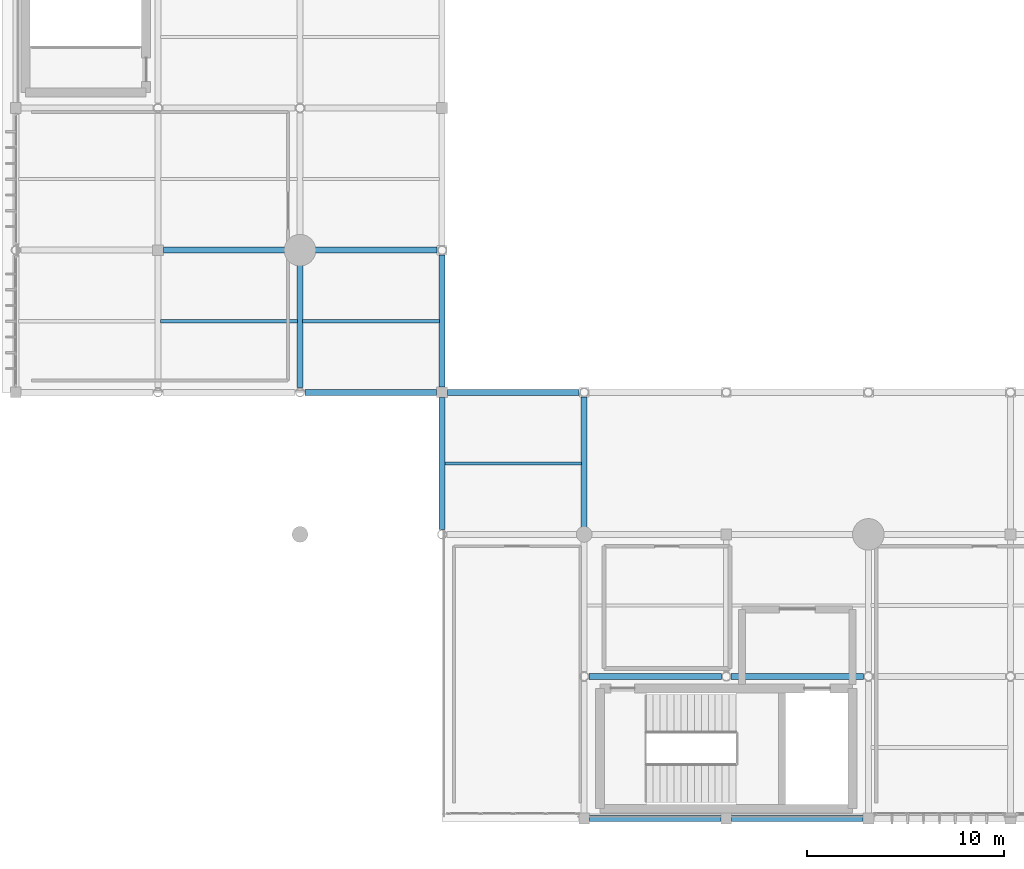
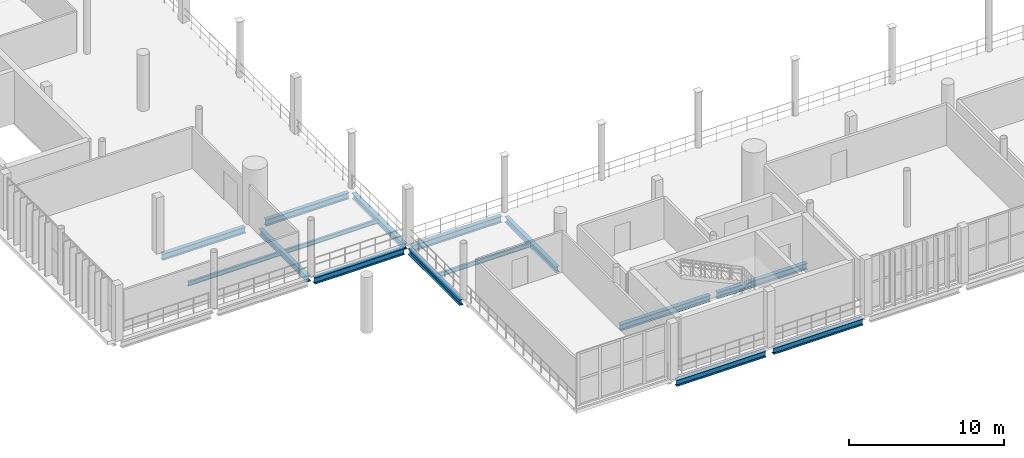
# One storey, part 16 of 81: 15 beams.
"""IFC4 building model written with IfcOpenShell, lengths in metres."""

from ifc_helpers import new_model, si_unit, direction, frame, origin, origin_2d, place, context, subcontext, project, spatial, i_section, extrude, material, material_profile, profile_set, type_object, element, save


model = new_model("IFC4")

# Units and contexts
model_context = context("Model", 3, precision=1e-05, world=origin(), true_north=direction((0.0, 1.0)))
body_context = subcontext(model_context, "Body", "Model", "MODEL_VIEW")
ifc_project = project(units=[si_unit("LENGTHUNIT", "METRE"), si_unit("AREAUNIT", "SQUARE_METRE"), si_unit("VOLUMEUNIT", "CUBIC_METRE"), si_unit("PLANEANGLEUNIT", "RADIAN"), si_unit("MASSUNIT", "GRAM", prefix="KILO")], contexts=[model_context])

# Site, building, storey
site_placement = place(None, origin())
site = spatial("IfcSite", under=ifc_project, at=site_placement, CompositionType="ELEMENT")
building_placement = place(site_placement, origin())
building = spatial("IfcBuilding", under=site, at=building_placement, Name="Qandorah Velis Arena", CompositionType="ELEMENT")
storey_placement = place(building_placement, frame((0.0, 0.0, 18.60009765625)))
storey = spatial("IfcBuildingStorey", under=building, at=storey_placement, Name="L04", CompositionType="ELEMENT", Elevation=18.60009765625)

# Beams
ifc_material = material(Name="Steel S355", Category="steel")
ifc_material_profile_1 = material_profile(ifc_material, i_section(OverallWidth=0.300048828125, OverallDepth=0.449951171875, WebThickness=0.013916015625, FlangeThickness=0.02587890625, FilletRadius=0.027099609375, at=origin_2d()), Name="HEB 450")
ifc_profile_set_1 = profile_set([ifc_material_profile_1], Name="Steel S355")
beam_type_1 = type_object("IfcBeamType", Name="STR-BM-HEB450", PredefinedType="BEAM", material=ifc_profile_set_1)
beam_1_placement = place(storey_placement, frame((14.39990234375, 21.85009765625, -0.4951171875), z_axis=(0.0, 1.0, 0.0), x_axis=(-1.0, 0.0, 0.0)))
element("IfcBeam", 1, at=beam_1_placement, inside=storey, type_object=beam_type_1, Name="Primary floor girder L04 Y-170", PredefinedType="BEAM", context=body_context, shape_type="SweptSolid", body=[
    extrude(i_section(OverallWidth=0.300048828125, OverallDepth=0.449951171875, WebThickness=0.013916015625, FlangeThickness=0.02587890625, FilletRadius=0.027099609375, at=origin_2d()), origin(), (0.0, 0.0, 1.0), 6.199951171875),
])
for number, where, z_axis, x_axis, name in (
    (2, (21.60009765625, 14.64990234375, -0.4951171875), (0.0, 1.0, 0.0), (-1.0, 0.0, 0.0), "Primary floor girder L04 Y-182"),
    (3, (21.60009765625, 21.875, -0.4951171875), (0.0, 1.0, 0.0), (-1.0, 0.0, 0.0), "Primary floor girder L04 Y-183"),
):
    element("IfcBeam", number, at=place(storey_placement, frame(where, z_axis=z_axis, x_axis=x_axis)), inside=storey, type_object=beam_type_1, Name=name, PredefinedType="BEAM", context=body_context, shape_type="SweptSolid", body=[
        extrude(i_section(OverallWidth=0.300048828125, OverallDepth=0.449951171875, WebThickness=0.013916015625, FlangeThickness=0.02587890625, FilletRadius=0.027099609375, at=origin_2d()), origin(), (0.0, 0.0, 1.0), 6.675048828125),
    ])
beam_2_placement = place(storey_placement, frame((28.800048828125, 14.75, -0.4951171875), z_axis=(0.0, 1.0, 0.0), x_axis=(-1.0, 0.0, 0.0)))
element("IfcBeam", 4, at=beam_2_placement, inside=storey, type_object=beam_type_1, Name="Primary floor girder L04 Y-198", PredefinedType="BEAM", context=body_context, shape_type="SweptSolid", body=[
    extrude(i_section(OverallWidth=0.300048828125, OverallDepth=0.449951171875, WebThickness=0.013916015625, FlangeThickness=0.02587890625, FilletRadius=0.027099609375, at=origin_2d()), origin(), (0.0, 0.0, 1.0), 6.60009765625),
])
ifc_material_profile_2 = material_profile(ifc_material, i_section(OverallWidth=0.300048828125, OverallDepth=0.5, WebThickness=0.014404296875, FlangeThickness=0.028076171875, FilletRadius=0.027099609375, at=origin_2d()), Name="HEB 500")
ifc_profile_set_2 = profile_set([ifc_material_profile_2], Name="Steel S355")
beam_type_2 = type_object("IfcBeamType", Name="STR-BM-HEB500", PredefinedType="BEAM", material=ifc_profile_set_2)
for number, where, z_axis, x_axis, name in (
    (5, (29.074951171875, 0.0, -0.52001953125), (1.0, 0.0, 0.0), (0.0, 1.0, 0.0), "Primary floor girder L04 X-001"),
    (6, (36.27490234375, 0.0, -0.52001953125), (1.0, 0.0, 0.0), (0.0, 1.0, 0.0), "Primary floor girder L04 X-002"),
):
    element("IfcBeam", number, at=place(storey_placement, frame(where, z_axis=z_axis, x_axis=x_axis)), inside=storey, type_object=beam_type_2, Name=name, PredefinedType="BEAM", context=body_context, shape_type="SweptSolid", body=[
        extrude(i_section(OverallWidth=0.300048828125, OverallDepth=0.5, WebThickness=0.014404296875, FlangeThickness=0.028076171875, FilletRadius=0.027099609375, at=origin_2d()), origin(), (0.0, 0.0, 1.0), 6.650146484375),
    ])
for number, where, z_axis, x_axis, name in (
    (7, (29.050048828125, 7.199951171875, -0.52001953125), (1.0, 0.0, 0.0), (0.0, 1.0, 0.0), "Primary floor girder L04 X-013"),
    (8, (36.25, 7.199951171875, -0.52001953125), (1.0, 0.0, 0.0), (0.0, 1.0, 0.0), "Primary floor girder L04 X-014"),
):
    element("IfcBeam", number, at=place(storey_placement, frame(where, z_axis=z_axis, x_axis=x_axis)), inside=storey, type_object=beam_type_2, Name=name, PredefinedType="BEAM", context=body_context, shape_type="SweptSolid", body=[
        extrude(i_section(OverallWidth=0.300048828125, OverallDepth=0.5, WebThickness=0.014404296875, FlangeThickness=0.028076171875, FilletRadius=0.027099609375, at=origin_2d()), origin(), (0.0, 0.0, 1.0), 6.699951171875),
    ])
for number, where, z_axis, x_axis, name in (
    (9, (14.64990234375, 21.60009765625, -0.52001953125), (1.0, 0.0, 0.0), (0.0, 1.0, 0.0), "Primary floor girder L04 X-036"),
    (10, (21.875, 21.60009765625, -0.52001953125), (1.0, 0.0, 0.0), (0.0, 1.0, 0.0), "Primary floor girder L04 X-037"),
):
    element("IfcBeam", number, at=place(storey_placement, frame(where, z_axis=z_axis, x_axis=x_axis)), inside=storey, type_object=beam_type_2, Name=name, PredefinedType="BEAM", context=body_context, shape_type="SweptSolid", body=[
        extrude(i_section(OverallWidth=0.300048828125, OverallDepth=0.5, WebThickness=0.014404296875, FlangeThickness=0.028076171875, FilletRadius=0.027099609375, at=origin_2d()), origin(), (0.0, 0.0, 1.0), 6.675048828125),
    ])
beam_3_placement = place(storey_placement, frame((7.47509765625, 28.800048828125, -0.52001953125), z_axis=(1.0, 0.0, 0.0), x_axis=(0.0, 1.0, 0.0)))
element("IfcBeam", 11, at=beam_3_placement, inside=storey, type_object=beam_type_2, Name="Primary floor girder L04 X-048", PredefinedType="BEAM", context=body_context, shape_type="SweptSolid", body=[
    extrude(i_section(OverallWidth=0.300048828125, OverallDepth=0.5, WebThickness=0.014404296875, FlangeThickness=0.028076171875, FilletRadius=0.027099609375, at=origin_2d()), origin(), (0.0, 0.0, 1.0), 6.1748046875),
])
beam_4_placement = place(storey_placement, frame((15.14990234375, 28.800048828125, -0.52001953125), z_axis=(1.0, 0.0, 0.0), x_axis=(0.0, 1.0, 0.0)))
element("IfcBeam", 12, at=beam_4_placement, inside=storey, type_object=beam_type_2, Name="Primary floor girder L04 X-049", PredefinedType="BEAM", context=body_context, shape_type="SweptSolid", body=[
    extrude(i_section(OverallWidth=0.300048828125, OverallDepth=0.5, WebThickness=0.014404296875, FlangeThickness=0.028076171875, FilletRadius=0.027099609375, at=origin_2d()), origin(), (0.0, 0.0, 1.0), 6.2001953125),
])
ifc_material_profile_3 = material_profile(ifc_material, i_section(OverallWidth=0.159912109375, OverallDepth=0.330078125, WebThickness=0.007568359375, FlangeThickness=0.011474609375, FilletRadius=0.01806640625, at=origin_2d()), Name="IPE 330")
ifc_profile_set_3 = profile_set([ifc_material_profile_3], Name="Steel S355")
beam_type_3 = type_object("IfcBeamType", Name="STR-JST-IPE330", PredefinedType="JOIST", material=ifc_profile_set_3)
beam_5_placement = place(storey_placement, frame((7.3349609375, 25.199951171875, -0.43505859375), z_axis=(1.0, 0.0, 0.0), x_axis=(0.0, 1.0, 0.0)))
element("IfcBeam", 13, at=beam_5_placement, inside=storey, type_object=beam_type_3, Name="Secondary floor joist L04-009", PredefinedType="JOIST", context=body_context, shape_type="SweptSolid", body=[
    extrude(i_section(OverallWidth=0.159912109375, OverallDepth=0.330078125, WebThickness=0.007568359375, FlangeThickness=0.011474609375, FilletRadius=0.01806640625, at=origin_2d()), origin(), (0.0, 0.0, 1.0), 6.929931640625),
])
beam_6_placement = place(storey_placement, frame((14.534912109375, 25.199951171875, -0.43505859375), z_axis=(1.0, 0.0, 0.0), x_axis=(0.0, 1.0, 0.0)))
element("IfcBeam", 14, at=beam_6_placement, inside=storey, type_object=beam_type_3, Name="Secondary floor joist L04-021", PredefinedType="JOIST", context=body_context, shape_type="SweptSolid", body=[
    extrude(i_section(OverallWidth=0.159912109375, OverallDepth=0.330078125, WebThickness=0.007568359375, FlangeThickness=0.011474609375, FilletRadius=0.01806640625, at=origin_2d()), origin(), (0.0, 0.0, 1.0), 6.93017578125),
])
beam_7_placement = place(storey_placement, frame((21.735107421875, 18.0, -0.43505859375), z_axis=(1.0, 0.0, 0.0), x_axis=(0.0, 1.0, 0.0)))
element("IfcBeam", 15, at=beam_7_placement, inside=storey, type_object=beam_type_3, Name="Secondary floor joist L04-031", PredefinedType="JOIST", context=body_context, shape_type="SweptSolid", body=[
    extrude(i_section(OverallWidth=0.159912109375, OverallDepth=0.330078125, WebThickness=0.007568359375, FlangeThickness=0.011474609375, FilletRadius=0.01806640625, at=origin_2d()), origin(), (0.0, 0.0, 1.0), 6.929931640625),
])

save(model, "model.ifc")
